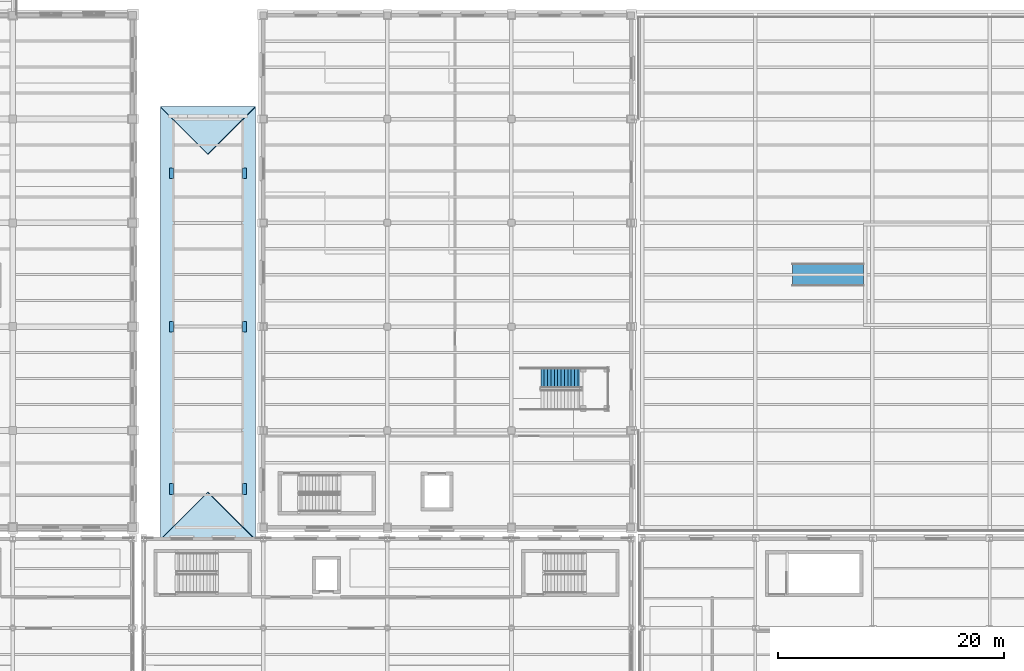
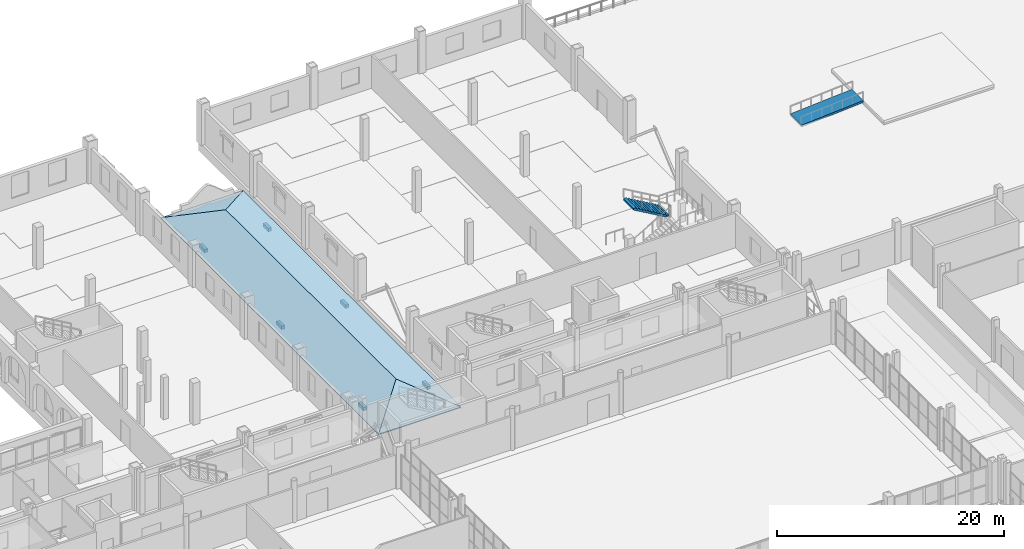
# One storey, part 131 of 156: 6 discrete accessories, 4 roofs, 1 ramp flight, 1 stair flight, 2 elements without a shape of their own.
"""IFC4 building model written with IfcOpenShell, lengths in metres."""

import ifcopenshell
import ifcopenshell.guid

model = None  # the IFC model being written
_history = None  # IfcOwnerHistory: only IFC2X3 demands one
_inside = {}  # id of a spatial element -> (the spatial element, [elements in it])
_under = {}  # id of a project, library or spatial element -> (it, [spatial elements below it])
_declared = {}  # id of a project -> (the project, [libraries it declares])
_typed = {}  # id of a type object -> (the type object, [elements of that type])
_made_of = {}  # id of a material, layer set ... -> (it, [elements and type objects made of it])


def new_model(schema):
    """Start an empty IFC model of exactly this schema.

    Asked for "IFC4X3", IfcOpenShell would pick the latest addendum, in which some entities
    have other attributes; the version numbers below select the first issue.
    IFC2X3 requires an IfcOwnerHistory on every rooted entity: one is made here for all.
    """
    global model, _history
    if schema == "IFC4X3":
        model = ifcopenshell.file(schema_version=(4, 3, 0, 0))
    else:
        model = ifcopenshell.file(schema=schema)
    _inside.clear()
    _under.clear()
    _declared.clear()
    _typed.clear()
    _made_of.clear()
    _history = None
    if model.schema == "IFC2X3":
        org = make("IfcOrganization", Name="unknown")
        user = make(
            "IfcPersonAndOrganization",
            ThePerson=make("IfcPerson", FamilyName="unknown"),
            TheOrganization=org,
        )
        app = make(
            "IfcApplication",
            ApplicationDeveloper=org,
            Version="unknown",
            ApplicationFullName="unknown",
            ApplicationIdentifier="unknown",
        )
        _history = make(
            "IfcOwnerHistory",
            OwningUser=user,
            OwningApplication=app,
            ChangeAction="ADDED",
            CreationDate=0,
        )
    return model


def make(cls, **values):
    """One entity of the class cls with the attributes given. An attribute that is None is left unset."""
    return model.create_entity(
        cls, **{name: value for name, value in values.items() if value is not None}
    )


def rooted(cls, **values):
    """An entity with a GlobalId (a new one), such as an element, a storey or a relation."""
    return make(cls, GlobalId=ifcopenshell.guid.new(), OwnerHistory=_history, **values)


def si_unit(unit_type, name, prefix=None):
    """IfcSIUnit, for example si_unit("LENGTHUNIT", "METRE", prefix="MILLI")."""
    return make("IfcSIUnit", UnitType=unit_type, Prefix=prefix, Name=name)


def assignment(units):
    """IfcUnitAssignment: the units of a project."""
    return None if units is None else make("IfcUnitAssignment", Units=units)


def point(xyz):
    """IfcCartesianPoint."""
    return None if xyz is None else make("IfcCartesianPoint", Coordinates=xyz)


def direction(xyz):
    """IfcDirection."""
    return None if xyz is None else make("IfcDirection", DirectionRatios=xyz)


def frame(location, z_axis=None, x_axis=None):
    """IfcAxis2Placement3D, a coordinate frame: its origin and axes. An axis left out is left unset."""
    return make(
        "IfcAxis2Placement3D",
        Location=point(location),
        Axis=direction(z_axis),
        RefDirection=direction(x_axis),
    )


def frame_2d(location, x_axis=None):
    """IfcAxis2Placement2D, a coordinate frame in the plane: its origin and x axis."""
    return make(
        "IfcAxis2Placement2D", Location=point(location), RefDirection=direction(x_axis)
    )


def origin():
    """The frame at (0, 0, 0) with its axes left unset."""
    return frame((0.0, 0.0, 0.0))


def origin_2d():
    """The frame at (0, 0) in the plane with its x axis left unset."""
    return frame_2d((0.0, 0.0))


def place(relative_to, where):
    """IfcLocalPlacement: puts the frame where relative to a parent placement (None: the world)."""
    return make(
        "IfcLocalPlacement", PlacementRelTo=relative_to, RelativePlacement=where
    )


def context(
    kind, dimensions, precision=None, world=None, true_north=None, identifier=None
):
    """IfcGeometricRepresentationContext, for example the 3D "Model" context."""
    return make(
        "IfcGeometricRepresentationContext",
        ContextIdentifier=identifier,
        ContextType=kind,
        CoordinateSpaceDimension=dimensions,
        Precision=precision,
        WorldCoordinateSystem=world,
        TrueNorth=true_north,
    )


def subcontext(parent, identifier, kind, view, scale=None):
    """IfcGeometricRepresentationSubContext, for example "Body" below "Model"."""
    return make(
        "IfcGeometricRepresentationSubContext",
        ContextIdentifier=identifier,
        ContextType=kind,
        ParentContext=parent,
        TargetScale=scale,
        TargetView=view,
    )


def project(units=None, contexts=None):
    """IfcProject with its units and contexts."""
    return rooted(
        "IfcProject",
        Name="project",
        RepresentationContexts=contexts,
        UnitsInContext=assignment(units),
    )


def spatial(cls, under=None, at=None, **own):
    """A site, building, storey or space (cls), placed at a placement, below another one or the project."""
    s = rooted(cls, ObjectPlacement=at, **own)
    if under is not None:
        _under.setdefault(under.id(), (under, []))[1].append(s)
    return s


def polyline(points):
    """IfcPolyline through the points."""
    return make("IfcPolyline", Points=[point(p) for p in points])


def profile(cls, at=None, kind="AREA", **sizes):
    """A parametric profile (cls). Its sizes go by their IFC names, for example OverallWidth=200.0."""
    return make(cls, ProfileType=kind, Position=at, **sizes)


def rectangle(**sizes):
    """IfcRectangleProfileDef."""
    return profile("IfcRectangleProfileDef", **sizes)


def outline(outer, holes=None, kind="AREA"):
    """IfcArbitraryClosedProfileDef: a profile drawn as a closed curve; with holes, ...WithVoids."""
    if holes is None:
        return make("IfcArbitraryClosedProfileDef", ProfileType=kind, OuterCurve=outer)
    return make(
        "IfcArbitraryProfileDefWithVoids",
        ProfileType=kind,
        OuterCurve=outer,
        InnerCurves=holes,
    )


def extrude(swept, where, along, depth):
    """IfcExtrudedAreaSolid: the profile swept, set in the frame where, extruded along a direction by depth."""
    return make(
        "IfcExtrudedAreaSolid",
        SweptArea=swept,
        Position=where,
        ExtrudedDirection=direction(along),
        Depth=depth,
    )


def shape(context_of_items, identifier, shape_type, items):
    """IfcShapeRepresentation: the items that make up one representation, for example the "Body"."""
    return make(
        "IfcShapeRepresentation",
        ContextOfItems=context_of_items,
        RepresentationIdentifier=identifier,
        RepresentationType=shape_type,
        Items=items,
    )


def material(Name=None, Category=None):
    """IfcMaterial."""
    return make("IfcMaterial", Name=Name, Category=Category)


def layer(
    of_material, thickness, ventilated=None, Name=None, Category=None, Priority=None
):
    """IfcMaterialLayer: one layer of a wall or slab, of a material (None: an air gap)."""
    return make(
        "IfcMaterialLayer",
        Material=of_material,
        LayerThickness=thickness,
        IsVentilated=ventilated,
        Name=Name,
        Category=Category,
        Priority=Priority,
    )


def layer_set(layers, Name=None):
    """IfcMaterialLayerSet."""
    return make("IfcMaterialLayerSet", MaterialLayers=layers, LayerSetName=Name)


def made_of(thing, what):
    """Note that an element or type object is made of a material, layer set ...; save() writes the relation."""
    if what is not None:
        _made_of.setdefault(what.id(), (what, []))[1].append(thing)
    return thing


def type_object(cls, material=None, **own):
    """A type object (cls), such as IfcWallType, which elements share."""
    return made_of(rooted(cls, **own), material)


def element(
    cls,
    number,
    at=None,
    inside=None,
    cuts=None,
    type_object=None,
    material=None,
    context=None,
    identifier="Body",
    shape_type=None,
    held_by="IfcProductDefinitionShape",
    body=None,
    shapes=None,
    **own,
):
    """One element of the class cls, such as IfcWall. Its Tag is "e" and its number.

    at: its placement. inside: the storey or other place that contains it. cuts: it is an
    opening in that element (IfcRelVoidsElement). A single representation is given by context,
    identifier, shape_type and body (its items); several are given by shapes. held_by: the class
    of the entity that holds the representations. save() writes the other relations.
    """
    e = rooted(cls, Tag="e%d" % number, ObjectPlacement=at, **own)
    if body is not None:
        shapes = [shape(context, identifier, shape_type, body)]
    if shapes is not None:
        e.Representation = make(held_by, Representations=shapes)
    if inside is not None:
        _inside.setdefault(inside.id(), (inside, []))[1].append(e)
    if cuts is not None:
        rooted(
            "IfcRelVoidsElement", RelatingBuildingElement=cuts, RelatedOpeningElement=e
        )
    if type_object is not None:
        _typed.setdefault(type_object.id(), (type_object, []))[1].append(e)
    return made_of(e, material)


def aggregate(whole, parts):
    """IfcRelAggregates: a whole, such as a stair, and the parts it consists of."""
    return rooted("IfcRelAggregates", RelatingObject=whole, RelatedObjects=parts)


def save(model, path):
    """Write the relations noted so far, then the file.

    IfcRelAggregates (storeys below a building ...), IfcRelContainedInSpatialStructure (elements
    in a storey), IfcRelDefinesByType, IfcRelAssociatesMaterial and IfcRelDeclares: one each for
    every whole, place, type object, material and project.
    """
    for whole, parts in _under.values():
        aggregate(whole, parts)
    for where, things in _inside.values():
        rooted(
            "IfcRelContainedInSpatialStructure",
            RelatedElements=things,
            RelatingStructure=where,
        )
    for kind, things in _typed.values():
        rooted("IfcRelDefinesByType", RelatedObjects=things, RelatingType=kind)
    for what, things in _made_of.values():
        rooted("IfcRelAssociatesMaterial", RelatedObjects=things, RelatingMaterial=what)
    for by, libraries in _declared.values():
        rooted("IfcRelDeclares", RelatingContext=by, RelatedDefinitions=libraries)
    model.write(path)


model = new_model("IFC4")

# Units and contexts
model_context = context("Model", 3, precision=1e-05, world=origin(), true_north=direction((0.0, 1.0)))
body_context = subcontext(model_context, "Body", "Model", "MODEL_VIEW")
ifc_project = project(units=[si_unit("LENGTHUNIT", "METRE"), si_unit("AREAUNIT", "SQUARE_METRE"), si_unit("VOLUMEUNIT", "CUBIC_METRE"), si_unit("PLANEANGLEUNIT", "RADIAN"), si_unit("MASSUNIT", "GRAM", prefix="KILO")], contexts=[model_context])

# Site, building, storey
site_placement = place(None, origin())
site = spatial("IfcSite", under=ifc_project, at=site_placement, CompositionType="ELEMENT")
building_placement = place(site_placement, origin())
building = spatial("IfcBuilding", under=site, at=building_placement, Name="Caurita Quay Ferry Terminal", CompositionType="ELEMENT")
storey_placement = place(building_placement, frame((0.0, 0.0, 5.39990234375)))
storey = spatial("IfcBuildingStorey", under=building, at=storey_placement, Name="L01", CompositionType="ELEMENT", Elevation=5.39990234375)

# Stair, stair flight
ifc_material_1 = material(Name="Reinforced concrete C35/45", Category="concrete")
stair_type = type_object("IfcStairType", Name="STR-DL-14", PredefinedType="HALF_TURN_STAIR", material=ifc_material_1)
stair_placement = place(storey_placement, origin())
stair = element("IfcStair", 1, at=stair_placement, inside=storey, type_object=stair_type, Name="L01 Promenade Stair ST-13", PredefinedType="HALF_TURN_STAIR")
stair_flight_type = type_object("IfcStairFlightType", Name="FLT-DL-14", PredefinedType="STRAIGHT", material=ifc_material_1)
stair_flight_placement = place(storey_placement, frame((127.39990234375, 84.860107421875, 2.25), z_axis=(0.0, 0.0, 1.0), x_axis=(-1.0, 0.0, 0.0)))
stair_flight = element("IfcStairFlight", 2, at=stair_flight_placement, type_object=stair_flight_type, Name="ST-13 flight 2", NumberOfRisers=13, NumberOfTreads=12, PredefinedType="STRAIGHT", RiserHeight=0.173076923, TreadLength=0.3, context=body_context, shape_type="SweptSolid", body=[
    extrude(outline(polyline([(0.0, 0.0), (0.0, 0.173095703125), (0.300048828125, 0.173095703125), (0.300048828125, 0.34619140625), (0.60009765625, 0.34619140625), (0.60009765625, 0.519287109375), (0.89990234375, 0.519287109375), (0.89990234375, 0.6923828125), (1.199951171875, 0.6923828125), (1.199951171875, 0.865478515625), (1.5, 0.865478515625), (1.5, 1.03857421875), (1.800048828125, 1.03857421875), (1.800048828125, 1.21142578125), (2.10009765625, 1.21142578125), (2.10009765625, 1.384521484375), (2.39990234375, 1.384521484375), (2.39990234375, 1.5576171875), (2.699951171875, 1.5576171875), (2.699951171875, 1.730712890625), (3.0, 1.730712890625), (3.0, 1.90380859375), (3.300048828125, 1.90380859375), (3.300048828125, 2.076904296875), (3.60009765625, 2.076904296875), (3.60009765625, 2.25), (3.60009765625, 1.90380859375), (0.300048828125, 0.0), (0.0, 0.0)])), frame((0.0, 0.89990234375, 0.0), z_axis=(0.0, -1.0, 0.0), x_axis=(1.0, 0.0, 0.0)), (0.0, 0.0, 1.0), 1.800048828125),
])
aggregate(stair, [stair_flight])

# Ramp, ramp flight
ramp_type = type_object("IfcRampType", Name="RMP-ASM-3", PredefinedType="STRAIGHT_RUN_RAMP", material=ifc_material_1)
ramp_placement = place(storey_placement, origin())
ramp = element("IfcRamp", 3, at=ramp_placement, inside=storey, type_object=ramp_type, Name="Roof Garden Accessible Promenade Ramp", PredefinedType="STRAIGHT_RUN_RAMP")
ramp_flight_type = type_object("IfcRampFlightType", Name="RMP-FLT-3", PredefinedType="STRAIGHT", material=ifc_material_1)
ramp_flight_placement = place(storey_placement, frame((146.10009765625, 94.0, 0.0), z_axis=(0.0, 0.0, 1.0), x_axis=(1.0, 0.0, 0.0)))
ramp_flight = element("IfcRampFlight", 4, at=ramp_flight_placement, type_object=ramp_flight_type, Name="Roof Garden Accessible Promenade Ramp Flight 1", PredefinedType="STRAIGHT", context=body_context, shape_type="SweptSolid", body=[
    extrude(outline(polyline([(0.0, 0.0), (0.0, -0.219970703125), (6.300048828125, 0.22998046875), (6.300048828125, 0.449951171875), (0.0, 0.0)])), frame((0.0, 1.0, 0.0), z_axis=(0.0, -1.0, 0.0), x_axis=(1.0, 0.0, 0.0)), (0.0, 0.0, 1.0), 2.0),
])
aggregate(ramp, [ramp_flight])

# Roofs
ifc_material_2 = material(Name="Terracotta clay barrel tile", Category="masonry")
ifc_layer = layer(ifc_material_2, 0.219970703125, Name="Spanish Colonial Revival pitched terracotta barrel-tile hipped roof")
ifc_layer_set = layer_set([ifc_layer], Name="Terracotta clay barrel tile")
roof_type = type_object("IfcRoofType", Name="ROOF-TEJA-HIP", PredefinedType="HIP_ROOF", material=ifc_layer_set)
for number, where, z_axis, x_axis, name in (
    (5, (90.10009765625, 108.89990234375, 0.02001953125), (-0.417583857635, 0.0, 0.908638388933), (0.0, -1.0, 0.0), "Spanish Colonial Terracotta Hipped Roof PORTICO-W"),
    (6, (98.5, 70.5, 0.02001953125), (0.417583857635, 0.0, 0.908638388933), (0.0, 1.0, 0.0), "Spanish Colonial Terracotta Hipped Roof PORTICO-E"),
):
    element("IfcRoof", number, at=place(storey_placement, frame(where, z_axis=z_axis, x_axis=x_axis)), inside=storey, type_object=roof_type, Name=name, PredefinedType="HIP_ROOF", context=body_context, shape_type="SweptSolid", body=[
        extrude(outline(polyline([(0.0, 0.0), (38.39990234375, 0.0), (34.199951171875, 4.622247115057592), (4.199951171875, 4.622247115057592), (0.0, 0.0)])), origin(), (0.0, 0.0, -1.0), 0.159912109375),
    ])
for number, where, z_axis, x_axis, name in (
    (7, (90.10009765625, 70.5, 0.02001953125), (0.0, -0.417583857635, 0.908638388933), (1.0, 0.0, 0.0), "Spanish Colonial Terracotta Hipped Roof PORTICO-S"),
    (8, (98.5, 108.89990234375, 0.02001953125), (0.0, 0.417583857635, 0.908638388933), (-1.0, 0.0, 0.0), "Spanish Colonial Terracotta Hipped Roof PORTICO-N"),
):
    element("IfcRoof", number, at=place(storey_placement, frame(where, z_axis=z_axis, x_axis=x_axis)), inside=storey, type_object=roof_type, Name=name, PredefinedType="HIP_ROOF", context=body_context, shape_type="SweptSolid", body=[
        extrude(outline(polyline([(0.0, 0.0), (8.39990234375, 0.0), (4.199951171875, 4.622247115057592), (0.0, 0.0)])), origin(), (0.0, 0.0, -1.0), 0.159912109375),
    ])

# Discrete accessories
ifc_material_3 = material(Name="Structural plate steel ASTM A572 Gr. 50", Category="steel")
discrete_accessory_type = type_object("IfcDiscreteAccessoryType", Name="ACC-BRK-01", PredefinedType="BRACKET", material=ifc_material_3)
for number, where, z_axis, x_axis, name in (
    (9, (91.050048828125, 75.0, -0.2001953125), (0.0, 0.0, 1.0), (1.0, 0.0, 0.0), "L01 Terracotta Roof Eave Corbel 019"),
    (10, (91.050048828125, 89.39990234375, -0.2001953125), (0.0, 0.0, 1.0), (1.0, 0.0, 0.0), "L01 Terracotta Roof Eave Corbel 020"),
    (11, (91.050048828125, 103.0, -0.2001953125), (0.0, 0.0, 1.0), (1.0, 0.0, 0.0), "L01 Terracotta Roof Eave Corbel 021"),
    (12, (97.550048828125, 75.0, -0.2001953125), (0.0, 0.0, 1.0), (1.0, 0.0, 0.0), "L01 Terracotta Roof Eave Corbel 022"),
    (13, (97.550048828125, 89.39990234375, -0.2001953125), (0.0, 0.0, 1.0), (1.0, 0.0, 0.0), "L01 Terracotta Roof Eave Corbel 023"),
    (14, (97.550048828125, 103.0, -0.2001953125), (0.0, 0.0, 1.0), (1.0, 0.0, 0.0), "L01 Terracotta Roof Eave Corbel 024"),
):
    element("IfcDiscreteAccessory", number, at=place(storey_placement, frame(where, z_axis=z_axis, x_axis=x_axis)), inside=storey, type_object=discrete_accessory_type, Name=name, PredefinedType="BRACKET", context=body_context, shape_type="SweptSolid", body=[
        extrude(rectangle(XDim=0.35009765625, YDim=0.949951171875, at=origin_2d()), origin(), (0.0, 0.0, 1.0), 0.360107421875),
    ])

save(model, "model.ifc")
